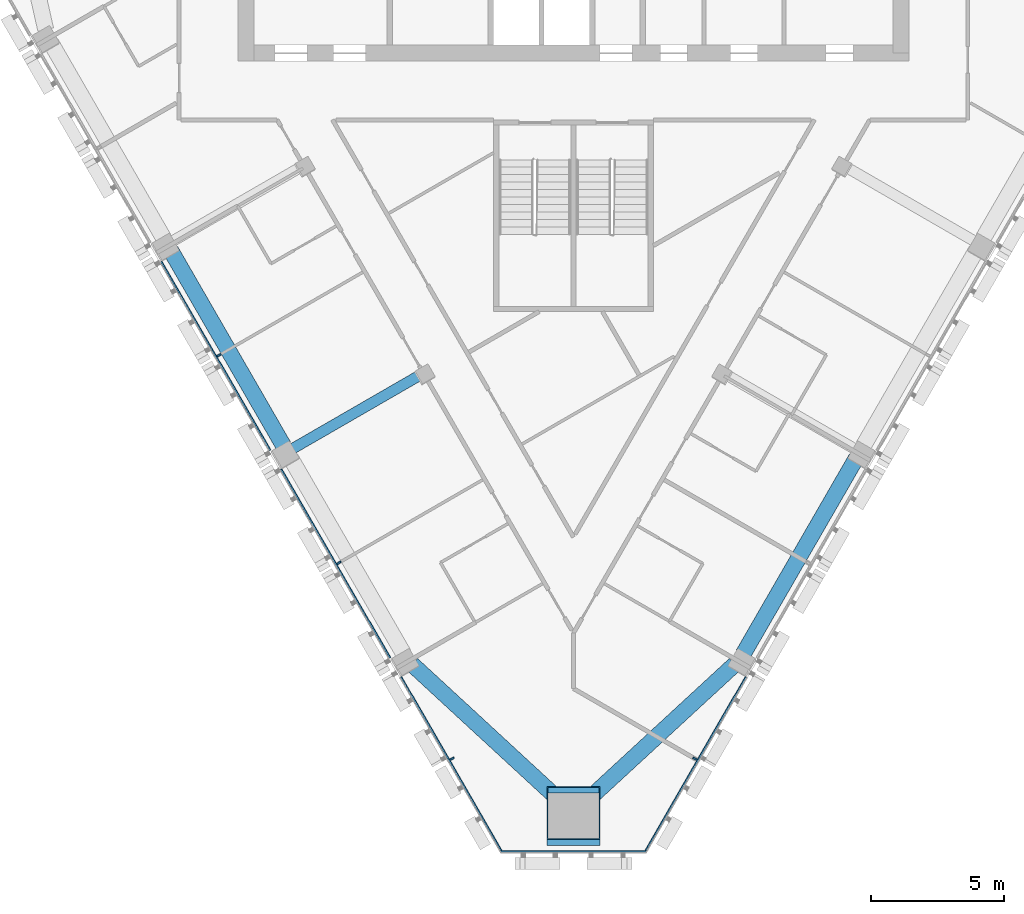
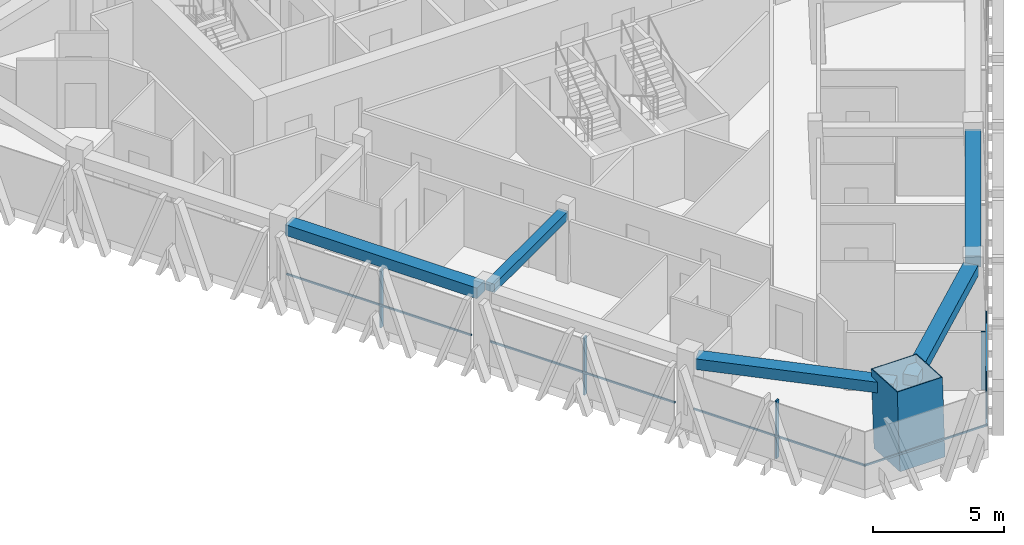
# One storey, part 2 of 14: 10 members, 5 beams, 3 elements without a shape of their own.
"""IFC4 building model written with IfcOpenShell, lengths in metres."""

from ifc_helpers import new_model, si_unit, direction, frame, origin, origin_2d, place, context, subcontext, project, spatial, rectangle, hollow_rectangle, extrude, material, layer, layer_set, material_profile, profile_set, type_object, element, aggregate, save


model = new_model("IFC4")

# Units and contexts
model_context = context("Model", 3, precision=1e-05, world=origin(), true_north=direction((0.0, 1.0)))
body_context = subcontext(model_context, "Body", "Model", "MODEL_VIEW")
ifc_project = project(units=[si_unit("LENGTHUNIT", "METRE"), si_unit("AREAUNIT", "SQUARE_METRE"), si_unit("VOLUMEUNIT", "CUBIC_METRE"), si_unit("PLANEANGLEUNIT", "RADIAN"), si_unit("MASSUNIT", "GRAM", prefix="KILO")], contexts=[model_context])

# Site, building, storey
site_placement = place(None, origin())
site = spatial("IfcSite", under=ifc_project, at=site_placement, CompositionType="ELEMENT")
building_placement = place(site_placement, origin())
building = spatial("IfcBuilding", under=site, at=building_placement, Name="Altiplano Prism Tower", CompositionType="ELEMENT")
storey_placement = place(building_placement, frame((0.0, 0.0, 239.199951171875)))
storey = spatial("IfcBuildingStorey", under=building, at=storey_placement, Name="L61", CompositionType="ELEMENT", Elevation=239.199951171875)

# Curtain wall, members
ifc_material_1 = material(Name="Aluminium and glass", Category="aluminium")
ifc_layer = layer(ifc_material_1, 0.280029296875)
ifc_layer_set = layer_set([ifc_layer], Name="Aluminium and glass")
curtain_wall_type = type_object("IfcCurtainWallType", Name="CW1 typical co-living unitised curtain wall", PredefinedType="NOTDEFINED", material=ifc_layer_set)
curtain_wall_1_placement = place(storey_placement, origin())
curtain_wall_1 = element("IfcCurtainWall", 1, at=curtain_wall_1_placement, inside=storey, type_object=curtain_wall_type, Name="CW1 curtain wall south-west face L61", PredefinedType="NOTDEFINED")
ifc_material_2 = material(Name="Aluminium", Category="aluminium")
ifc_material_profile_1 = material_profile(ifc_material_2, rectangle(XDim=0.179931640625, YDim=0.06494140625, at=origin_2d()), Name="CW1 mullion 65 x 180")
ifc_profile_set_1 = profile_set([ifc_material_profile_1], Name="Aluminium")
member_type_1 = type_object("IfcMemberType", Name="CW1 mullion 65 x 180", PredefinedType="MULLION", material=ifc_profile_set_1)
member_1_placement = place(storey_placement, frame((71.69287109375, 81.761474609375, 0.0), z_axis=(0.0, 0.0, 1.0), x_axis=(0.866025402772, 0.500000001753, 0.0)))
member_1 = element("IfcMember", 2, at=member_1_placement, type_object=member_type_1, Name="CW1 mullion", PredefinedType="MULLION", context=body_context, shape_type="SweptSolid", body=[
    extrude(rectangle(XDim=0.179931640625, YDim=0.06494140625, at=origin_2d()), origin(), (0.0, 0.0, 1.0), 2.699951171875),
])
member_2_placement = place(storey_placement, frame((76.19287109375, 73.96728515625, 0.0), z_axis=(0.0, 0.0, 1.0), x_axis=(0.866025402772, 0.500000001753, 0.0)))
member_2 = element("IfcMember", 3, at=member_2_placement, type_object=member_type_1, Name="CW1 mullion", PredefinedType="MULLION", context=body_context, shape_type="SweptSolid", body=[
    extrude(rectangle(XDim=0.179931640625, YDim=0.06494140625, at=origin_2d()), origin(), (0.0, 0.0, 1.0), 2.699951171875),
])
member_3_placement = place(storey_placement, frame((80.43798828125, 66.61474609375, 0.0), z_axis=(0.0, 0.0, 1.0), x_axis=(0.866025402772, 0.500000001753, 0.0)))
member_3 = element("IfcMember", 4, at=member_3_placement, type_object=member_type_1, Name="CW1 mullion", PredefinedType="MULLION", context=body_context, shape_type="SweptSolid", body=[
    extrude(rectangle(XDim=0.179931640625, YDim=0.06494140625, at=origin_2d()), origin(), (0.0, 0.0, 1.0), 2.699951171875),
])

# Curtain wall, member
curtain_wall_2_placement = place(storey_placement, origin())
curtain_wall_2 = element("IfcCurtainWall", 5, at=curtain_wall_2_placement, inside=storey, type_object=curtain_wall_type, Name="CW1 curtain wall south-east face L61", PredefinedType="NOTDEFINED")
member_4_placement = place(storey_placement, frame((89.56201171875, 66.61474609375, 0.0), z_axis=(0.0, 0.0, 1.0), x_axis=(-0.866025402772, 0.500000001753, 0.0)))
member_4 = element("IfcMember", 6, at=member_4_placement, type_object=member_type_1, Name="CW1 mullion", PredefinedType="MULLION", context=body_context, shape_type="SweptSolid", body=[
    extrude(rectangle(XDim=0.179931640625, YDim=0.06494140625, at=origin_2d()), origin(), (0.0, 0.0, 1.0), 2.699951171875),
])

# Member
ifc_material_profile_2 = material_profile(ifc_material_2, rectangle(XDim=0.06005859375, YDim=0.080078125, at=origin_2d()), Name="CW1 transom 80 x 60")
ifc_profile_set_2 = profile_set([ifc_material_profile_2], Name="Aluminium")
member_type_2 = type_object("IfcMemberType", Name="CW1 transom 80 x 60", PredefinedType="USERDEFINED", material=ifc_profile_set_2)
member_5_placement = place(storey_placement, frame((69.52685546875, 85.2734375, 1.10009765625), z_axis=(0.499995783154, -0.866027838368, 0.0), x_axis=(0.866027838368, 0.499995783154, 0.0)))
member_5 = element("IfcMember", 7, at=member_5_placement, type_object=member_type_2, Name="CW1 transom", ObjectType="TRANSOM", PredefinedType="USERDEFINED", context=body_context, shape_type="SweptSolid", body=[
    extrude(rectangle(XDim=0.06005859375, YDim=0.080078125, at=origin_2d()), origin(), (0.0, 0.0, 1.0), 8.169921875),
])

member_6_placement = place(storey_placement, frame((74.02685546875, 77.479248046875, 1.10009765625), z_axis=(0.499995783154, -0.866027838368, 0.0), x_axis=(0.866027838368, 0.499995783154, 0.0)))
member_6 = element("IfcMember", 8, at=member_6_placement, type_object=member_type_2, Name="CW1 transom", ObjectType="TRANSOM", PredefinedType="USERDEFINED", context=body_context, shape_type="SweptSolid", body=[
    extrude(rectangle(XDim=0.06005859375, YDim=0.080078125, at=origin_2d()), origin(), (0.0, 0.0, 1.0), 8.169921875),
])

member_7_placement = place(storey_placement, frame((78.52685546875, 69.684814453125, 1.10009765625), z_axis=(0.499999433879, -0.866025730634, 0.0), x_axis=(0.866025730634, 0.499999433879, 0.0)))
member_7 = element("IfcMember", 9, at=member_7_placement, type_object=member_type_2, Name="CW1 transom", ObjectType="TRANSOM", PredefinedType="USERDEFINED", context=body_context, shape_type="SweptSolid", body=[
    extrude(rectangle(XDim=0.06005859375, YDim=0.080078125, at=origin_2d()), origin(), (0.0, 0.0, 1.0), 7.6044921875),
])

aggregate(curtain_wall_1, [member_1, member_5, member_2, member_6, member_3, member_7])

# Curtain wall, member
curtain_wall_3_placement = place(storey_placement, origin())
curtain_wall_3 = element("IfcCurtainWall", 10, at=curtain_wall_3_placement, inside=storey, type_object=curtain_wall_type, Name="CW1 curtain wall south chamfer L61", PredefinedType="NOTDEFINED")
member_8_placement = place(storey_placement, frame((82.2685546875, 63.13427734375, 1.10009765625), z_axis=(1.0, 0.0, 0.0), x_axis=(0.0, 1.0, 0.0)))
member_8 = element("IfcMember", 11, at=member_8_placement, type_object=member_type_2, Name="CW1 transom", ObjectType="TRANSOM", PredefinedType="USERDEFINED", context=body_context, shape_type="SweptSolid", body=[
    extrude(rectangle(XDim=0.06005859375, YDim=0.080078125, at=origin_2d()), origin(), (0.0, 0.0, 1.0), 5.462890625),
])
aggregate(curtain_wall_3, [member_8])

# Member
member_9_placement = place(storey_placement, frame((87.6708984375, 63.09912109375, 1.10009765625), z_axis=(0.499999433879, 0.866025730634, 0.0), x_axis=(-0.866025730634, 0.499999433879, 0.0)))
member_9 = element("IfcMember", 12, at=member_9_placement, type_object=member_type_2, Name="CW1 transom", ObjectType="TRANSOM", PredefinedType="USERDEFINED", context=body_context, shape_type="SweptSolid", body=[
    extrude(rectangle(XDim=0.06005859375, YDim=0.080078125, at=origin_2d()), origin(), (0.0, 0.0, 1.0), 7.6044921875),
])

aggregate(curtain_wall_2, [member_4, member_9])

# Beams
ifc_material_3 = material(Name="Concrete C60/75", Category="concrete")
ifc_material_profile_3 = material_profile(ifc_material_3, rectangle(XDim=0.60009765625, YDim=0.5, at=origin_2d()), Name="Edge beam 600x500")
ifc_profile_set_3 = profile_set([ifc_material_profile_3], Name="Concrete C60/75")
beam_type_1 = type_object("IfcBeamType", Name="Edge beam 600x500", PredefinedType="SPANDREL", material=ifc_profile_set_3)
beam_1_placement = place(storey_placement, frame((69.875732421875, 85.706298828125, 2.949951171875), z_axis=(0.49998963237, -0.866031389456, 0.0), x_axis=(0.866031389456, 0.49998963237, 0.0)))
element("IfcBeam", 13, at=beam_1_placement, inside=storey, type_object=beam_type_1, Name="Edge beam P12-P13 L62", PredefinedType="SPANDREL", context=body_context, shape_type="SweptSolid", body=[
    extrude(rectangle(XDim=0.60009765625, YDim=0.5, at=origin_2d()), origin(), (0.0, 0.0, 1.0), 8.489990234375),
])
for number, where, z_axis, x_axis, name in (
    (14, (78.94873046875, 70.15380859375, 2.949951171875), (0.73520390465, -0.67784601392, 0.0), (0.67784601392, 0.73520390465, 0.0), "Edge beam P14-M1 L62"),
    (15, (85.330810546875, 64.879638671875, 2.949951171875), (0.73520390465, 0.67784601392, 0.0), (-0.67784601392, 0.73520390465, 0.0), "Edge beam M1-P21 L62"),
):
    element("IfcBeam", number, at=place(storey_placement, frame(where, z_axis=z_axis, x_axis=x_axis)), inside=storey, type_object=beam_type_1, Name=name, PredefinedType="SPANDREL", context=body_context, shape_type="SweptSolid", body=[
        extrude(rectangle(XDim=0.60009765625, YDim=0.5, at=origin_2d()), origin(), (0.0, 0.0, 1.0), 7.78076171875),
    ])
beam_2_placement = place(storey_placement, frame((91.37939453125, 70.5595703125, 2.949951171875), z_axis=(0.49998963237, 0.866031389456, 0.0), x_axis=(-0.866031389456, 0.49998963237, 0.0)))
element("IfcBeam", 16, at=beam_2_placement, inside=storey, type_object=beam_type_1, Name="Edge beam P21-P22 L62", PredefinedType="SPANDREL", context=body_context, shape_type="SweptSolid", body=[
    extrude(rectangle(XDim=0.60009765625, YDim=0.5, at=origin_2d()), origin(), (0.0, 0.0, 1.0), 8.489990234375),
])

# Member
ifc_material_4 = material(Name="Steel S460", Category="steel")
ifc_material_profile_4 = material_profile(ifc_material_4, hollow_rectangle(XDim=2.0, YDim=2.0, WallThickness=0.0400390625, at=origin_2d()), Name="Mega column tube 2000")
ifc_profile_set_4 = profile_set([ifc_material_profile_4], Name="Steel S460")
member_type_3 = type_object("IfcMemberType", Name="Mega column tube 2000", PredefinedType="POST", material=ifc_profile_set_4)
member_10_placement = place(storey_placement, frame((85.0, 64.3642578125, 0.0), z_axis=(0.0, 0.058356907999, 0.998295783467), x_axis=(-1.0, 0.0, 0.0)))
element("IfcMember", 17, at=member_10_placement, inside=storey, type_object=member_type_3, Name="Mega column tube M1 L61", PredefinedType="POST", context=body_context, shape_type="SweptSolid", body=[
    extrude(hollow_rectangle(XDim=2.0, YDim=2.0, WallThickness=0.0400390625, at=origin_2d()), origin(), (0.0, 0.0, 1.0), 3.606201171875),
])

# Beam
ifc_material_profile_5 = material_profile(ifc_material_3, rectangle(XDim=0.39990234375, YDim=0.39990234375, at=origin_2d()), Name="Tie beam 400x400")
ifc_profile_set_5 = profile_set([ifc_material_profile_5], Name="Concrete C60/75")
beam_type_2 = type_object("IfcBeamType", Name="Tie beam 400x400", PredefinedType="BEAM", material=ifc_profile_set_5)
beam_3_placement = place(storey_placement, frame((79.353271484375, 81.08056640625, 3.0), z_axis=(-0.866015459562, -0.500017223503, 0.0), x_axis=(0.500017223503, -0.866015459562, 0.0)))
element("IfcBeam", 18, at=beam_3_placement, inside=storey, type_object=beam_type_2, Name="Tie beam I13 L62", PredefinedType="BEAM", context=body_context, shape_type="SweptSolid", body=[
    extrude(rectangle(XDim=0.39990234375, YDim=0.39990234375, at=origin_2d()), origin(), (0.0, 0.0, 1.0), 5.639892578125),
])

save(model, "model.ifc")
